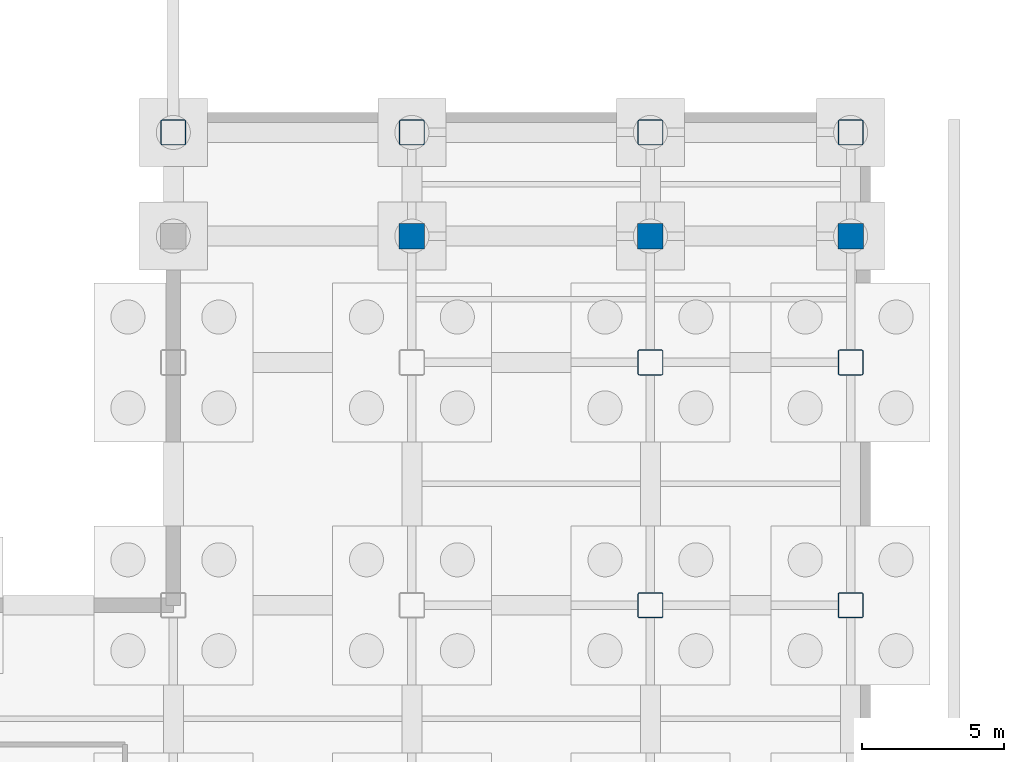
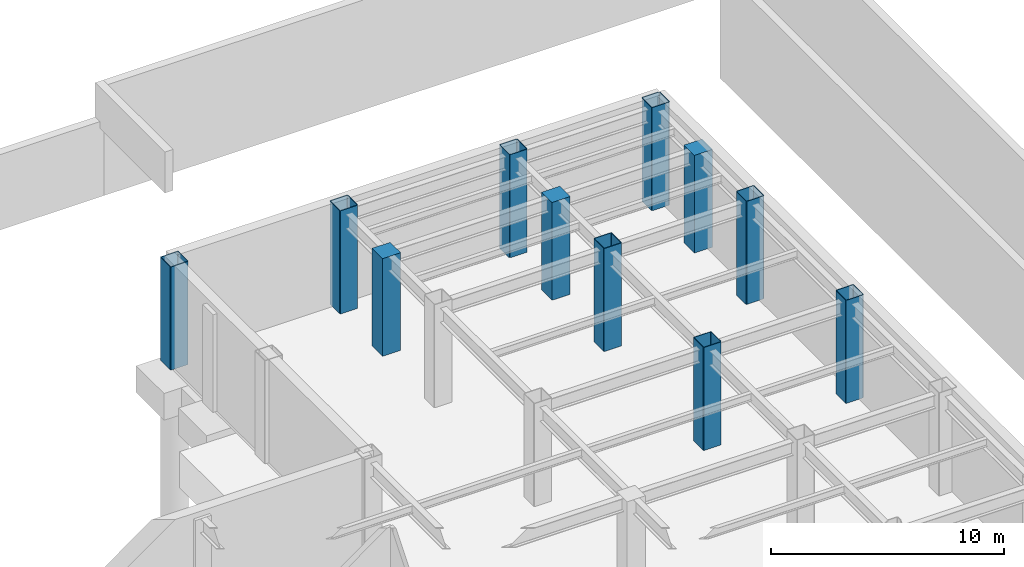
# One storey, part 20 of 55: 11 columns.
"""IFC4 building model written with IfcOpenShell, lengths in metres."""

from ifc_helpers import new_model, si_unit, direction, frame, origin, origin_2d, place, context, subcontext, project, spatial, rectangle, hollow_rectangle, extrude, material, material_profile, profile_set, type_object, element, save


model = new_model("IFC4")

# Units and contexts
model_context = context("Model", 3, precision=1e-05, world=origin(), true_north=direction((0.0, 1.0)))
body_context = subcontext(model_context, "Body", "Model", "MODEL_VIEW")
ifc_project = project(units=[si_unit("LENGTHUNIT", "METRE"), si_unit("AREAUNIT", "SQUARE_METRE"), si_unit("VOLUMEUNIT", "CUBIC_METRE"), si_unit("PLANEANGLEUNIT", "RADIAN"), si_unit("MASSUNIT", "GRAM", prefix="KILO")], contexts=[model_context])

# Site, building, storey
site_placement = place(None, origin())
site = spatial("IfcSite", under=ifc_project, at=site_placement, CompositionType="ELEMENT")
building_placement = place(site_placement, origin())
building = spatial("IfcBuilding", under=site, at=building_placement, Name="Kazehara Bluff Congress Hotel", CompositionType="ELEMENT")
storey_placement = place(building_placement, frame((0.0, 0.0, -5.39990234375)))
storey = spatial("IfcBuildingStorey", under=building, at=storey_placement, Name="B1", CompositionType="ELEMENT", Elevation=-5.39990234375)

# Columns
ifc_material_1 = material(Name="Steel BCR295", Category="steel")
ifc_material_profile_1 = material_profile(ifc_material_1, hollow_rectangle(XDim=0.89990234375, YDim=0.89990234375, WallThickness=0.031982421875, InnerFilletRadius=0.031982421875, OuterFilletRadius=0.06396484375, at=origin_2d()))
ifc_profile_set_1 = profile_set([ifc_material_profile_1], Name="Steel BCR295")
column_type_1 = type_object("IfcColumnType", Name="TP-C-01", PredefinedType="COLUMN", material=ifc_profile_set_1)
for number, where, z_axis, x_axis, name in (
    (1, (143.699951171875, 113.550048828125, 0.0), (0.0, 0.0, 1.0), (1.0, 0.0, 0.0), "B1 mega-column C-01 (143.70,113.55)"),
    (2, (152.10009765625, 113.550048828125, 0.0), (0.0, 0.0, 1.0), (1.0, 0.0, 0.0), "B1 mega-column C-01 (152.10,113.55)"),
    (3, (160.5, 96.89990234375, 0.0), (0.0, 0.0, 1.0), (1.0, 0.0, 0.0), "B1 mega-column C-01 (160.50,96.90)"),
    (4, (160.5, 105.449951171875, 0.0), (0.0, 0.0, 1.0), (1.0, 0.0, 0.0), "B1 mega-column C-01 (160.50,105.45)"),
    (5, (160.5, 113.550048828125, 0.0), (0.0, 0.0, 1.0), (1.0, 0.0, 0.0), "B1 mega-column C-01 (160.50,113.55)"),
    (6, (167.550048828125, 96.89990234375, 0.0), (0.0, 0.0, 1.0), (1.0, 0.0, 0.0), "B1 mega-column C-01 (167.55,96.90)"),
    (7, (167.550048828125, 105.449951171875, 0.0), (0.0, 0.0, 1.0), (1.0, 0.0, 0.0), "B1 mega-column C-01 (167.55,105.45)"),
    (8, (167.550048828125, 113.550048828125, 0.0), (0.0, 0.0, 1.0), (1.0, 0.0, 0.0), "B1 mega-column C-01 (167.55,113.55)"),
):
    element("IfcColumn", number, at=place(storey_placement, frame(where, z_axis=z_axis, x_axis=x_axis)), inside=storey, type_object=column_type_1, Name=name, PredefinedType="COLUMN", context=body_context, shape_type="SweptSolid", body=[
        extrude(hollow_rectangle(XDim=0.89990234375, YDim=0.89990234375, WallThickness=0.031982421875, InnerFilletRadius=0.031982421875, OuterFilletRadius=0.06396484375, at=origin_2d()), origin(), (0.0, 0.0, 1.0), 5.39990234375),
    ])
ifc_material_2 = material(Name="Concrete C40/50", Category="concrete")
ifc_material_profile_2 = material_profile(ifc_material_2, rectangle(XDim=0.89990234375, YDim=0.89990234375, at=origin_2d()))
ifc_profile_set_2 = profile_set([ifc_material_profile_2], Name="Concrete C40/50")
column_type_2 = type_object("IfcColumnType", Name="TP-C-12", PredefinedType="COLUMN", material=ifc_profile_set_2)
for number, where, z_axis, x_axis, name in (
    (9, (152.10009765625, 109.89990234375, 0.0), (0.0, 0.0, 1.0), (1.0, 0.0, 0.0), "B1 column C-12 (152.10,109.90)"),
    (10, (160.5, 109.89990234375, 0.0), (0.0, 0.0, 1.0), (1.0, 0.0, 0.0), "B1 column C-12 (160.50,109.90)"),
    (11, (167.550048828125, 109.89990234375, 0.0), (0.0, 0.0, 1.0), (1.0, 0.0, 0.0), "B1 column C-12 (167.55,109.90)"),
):
    element("IfcColumn", number, at=place(storey_placement, frame(where, z_axis=z_axis, x_axis=x_axis)), inside=storey, type_object=column_type_2, Name=name, PredefinedType="COLUMN", context=body_context, shape_type="SweptSolid", body=[
        extrude(rectangle(XDim=0.89990234375, YDim=0.89990234375, at=origin_2d()), origin(), (0.0, 0.0, 1.0), 5.119873046875),
    ])

save(model, "model.ifc")
